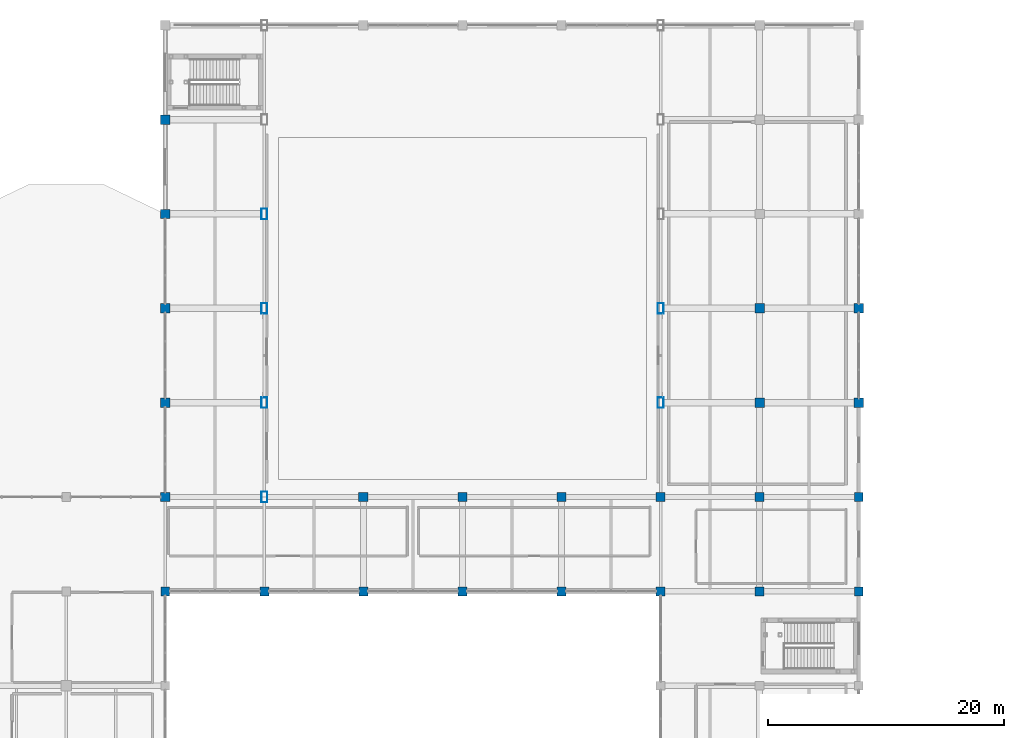
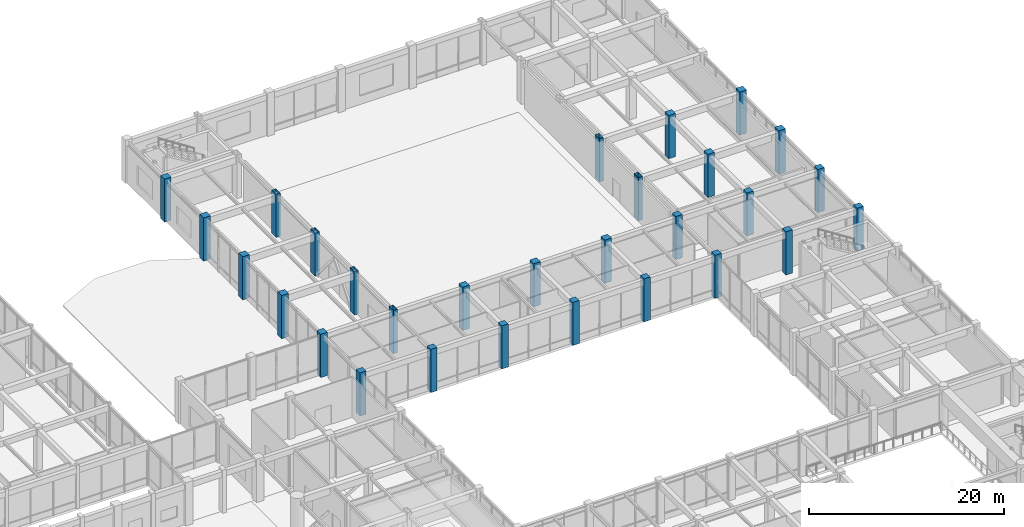
# One storey, part 12 of 79: 29 columns.
"""IFC4 building model written with IfcOpenShell, lengths in metres."""

from ifc_helpers import new_model, si_unit, direction, frame, origin, origin_2d, place, context, subcontext, project, spatial, rectangle, hollow_rectangle, extrude, material, material_profile, profile_set, type_object, element, save


model = new_model("IFC4")

# Units and contexts
model_context = context("Model", 3, precision=1e-05, world=origin(), true_north=direction((0.0, 1.0)))
body_context = subcontext(model_context, "Body", "Model", "MODEL_VIEW")
ifc_project = project(units=[si_unit("LENGTHUNIT", "METRE"), si_unit("AREAUNIT", "SQUARE_METRE"), si_unit("VOLUMEUNIT", "CUBIC_METRE"), si_unit("PLANEANGLEUNIT", "RADIAN"), si_unit("MASSUNIT", "GRAM", prefix="KILO")], contexts=[model_context])

# Site, building, storey
site_placement = place(None, origin())
site = spatial("IfcSite", under=ifc_project, at=site_placement, CompositionType="ELEMENT")
building_placement = place(site_placement, origin())
building = spatial("IfcBuilding", under=site, at=building_placement, Name="Naruveol Harbour Congress Hotel", CompositionType="ELEMENT")
storey_placement = place(building_placement, frame((0.0, 0.0, 6.0)))
storey = spatial("IfcBuildingStorey", under=building, at=storey_placement, Name="L01", CompositionType="ELEMENT", Elevation=6.0)

# Columns
ifc_material_1 = material(Name="Concrete C50/60", Category="concrete")
ifc_material_profile_1 = material_profile(ifc_material_1, rectangle(XDim=0.800048828125, YDim=0.800048828125, at=origin_2d()), Name="RC-800x800")
ifc_profile_set_1 = profile_set([ifc_material_profile_1], Name="Concrete C50/60")
column_type_1 = type_object("IfcColumnType", Name="RC PODIUM COLUMN 800X800", PredefinedType="COLUMN", material=ifc_profile_set_1)
for number, where, z_axis, x_axis, name in (
    (1, (67.199951171875, 72.0, 0.0), (0.0, 0.0, 1.0), (1.0, 0.0, 0.0), "Column C-800 L01 (67.2,72.0)"),
    (2, (67.199951171875, 80.0, 0.0), (0.0, 0.0, 1.0), (1.0, 0.0, 0.0), "Column C-800 L01 (67.2,80.0)"),
    (3, (67.199951171875, 88.0, 0.0), (0.0, 0.0, 1.0), (1.0, 0.0, 0.0), "Column C-800 L01 (67.2,88.0)"),
    (4, (67.199951171875, 96.0, 0.0), (0.0, 0.0, 1.0), (1.0, 0.0, 0.0), "Column C-800 L01 (67.2,96.0)"),
    (5, (67.199951171875, 104.0, 0.0), (0.0, 0.0, 1.0), (1.0, 0.0, 0.0), "Column C-800 L01 (67.2,104.0)"),
    (6, (84.0, 72.0, 0.0), (0.0, 0.0, 1.0), (1.0, 0.0, 0.0), "Column C-800 L01 (84.0,72.0)"),
    (7, (92.39990234375, 72.0, 0.0), (0.0, 0.0, 1.0), (1.0, 0.0, 0.0), "Column C-800 L01 (92.4,72.0)"),
    (8, (100.800048828125, 72.0, 0.0), (0.0, 0.0, 1.0), (1.0, 0.0, 0.0), "Column C-800 L01 (100.8,72.0)"),
    (9, (117.60009765625, 80.0, 0.0), (0.0, 0.0, 1.0), (1.0, 0.0, 0.0), "Column C-800 L01 (117.6,80.0)"),
    (10, (117.60009765625, 88.0, 0.0), (0.0, 0.0, 1.0), (1.0, 0.0, 0.0), "Column C-800 L01 (117.6,88.0)"),
    (11, (126.0, 80.0, 0.0), (0.0, 0.0, 1.0), (1.0, 0.0, 0.0), "Column C-800 L01 (126.0,80.0)"),
    (12, (126.0, 88.0, 0.0), (0.0, 0.0, 1.0), (1.0, 0.0, 0.0), "Column C-800 L01 (126.0,88.0)"),
):
    element("IfcColumn", number, at=place(storey_placement, frame(where, z_axis=z_axis, x_axis=x_axis)), inside=storey, type_object=column_type_1, Name=name, PredefinedType="COLUMN", context=body_context, shape_type="SweptSolid", body=[
        extrude(rectangle(XDim=0.800048828125, YDim=0.800048828125, at=origin_2d()), origin(), (0.0, 0.0, 1.0), 5.39990234375),
    ])
ifc_material_2 = material(Name="Concrete C50/60", Category="concrete")
ifc_material_profile_2 = material_profile(ifc_material_2, rectangle(XDim=0.75, YDim=0.75, at=origin_2d()), Name="RC-750x750")
ifc_profile_set_2 = profile_set([ifc_material_profile_2], Name="Concrete C50/60")
column_type_2 = type_object("IfcColumnType", Name="RC WING COLUMN 750X750", PredefinedType="COLUMN", material=ifc_profile_set_2)
for number, where, z_axis, x_axis, name in (
    (13, (67.199951171875, 64.0, 0.0), (0.0, 0.0, 1.0), (1.0, 0.0, 0.0), "Column C-750 L01 (67.2,64.0)"),
    (14, (75.60009765625, 64.0, 0.0), (0.0, 0.0, 1.0), (1.0, 0.0, 0.0), "Column C-750 L01 (75.6,64.0)"),
    (15, (84.0, 64.0, 0.0), (0.0, 0.0, 1.0), (1.0, 0.0, 0.0), "Column C-750 L01 (84.0,64.0)"),
    (16, (92.39990234375, 64.0, 0.0), (0.0, 0.0, 1.0), (1.0, 0.0, 0.0), "Column C-750 L01 (92.4,64.0)"),
    (17, (100.800048828125, 64.0, 0.0), (0.0, 0.0, 1.0), (1.0, 0.0, 0.0), "Column C-750 L01 (100.8,64.0)"),
    (18, (109.199951171875, 64.0, 0.0), (0.0, 0.0, 1.0), (1.0, 0.0, 0.0), "Column C-750 L01 (109.2,64.0)"),
    (19, (109.199951171875, 72.0, 0.0), (0.0, 0.0, 1.0), (1.0, 0.0, 0.0), "Column C-750 L01 (109.2,72.0)"),
    (20, (117.60009765625, 64.0, 0.0), (0.0, 0.0, 1.0), (1.0, 0.0, 0.0), "Column C-750 L01 (117.6,64.0)"),
    (21, (117.60009765625, 72.0, 0.0), (0.0, 0.0, 1.0), (1.0, 0.0, 0.0), "Column C-750 L01 (117.6,72.0)"),
    (22, (126.0, 64.0, 0.0), (0.0, 0.0, 1.0), (1.0, 0.0, 0.0), "Column C-750 L01 (126.0,64.0)"),
    (23, (126.0, 72.0, 0.0), (0.0, 0.0, 1.0), (1.0, 0.0, 0.0), "Column C-750 L01 (126.0,72.0)"),
):
    element("IfcColumn", number, at=place(storey_placement, frame(where, z_axis=z_axis, x_axis=x_axis)), inside=storey, type_object=column_type_2, Name=name, PredefinedType="COLUMN", context=body_context, shape_type="SweptSolid", body=[
        extrude(rectangle(XDim=0.75, YDim=0.75, at=origin_2d()), origin(), (0.0, 0.0, 1.0), 5.39990234375),
    ])
ifc_material_3 = material(Name="Steel SN490", Category="steel")
ifc_material_profile_3 = material_profile(ifc_material_3, hollow_rectangle(XDim=0.5, YDim=0.89990234375, WallThickness=0.02392578125, at=origin_2d()), Name="RHS-900x500x24")
ifc_profile_set_3 = profile_set([ifc_material_profile_3], Name="Steel SN490")
column_type_3 = type_object("IfcColumnType", Name="STEEL HALL COLUMN H900X300", PredefinedType="COLUMN", material=ifc_profile_set_3)
for number, where, z_axis, x_axis, name in (
    (24, (75.60009765625, 72.0, 0.0), (0.0, 0.0, 1.0), (1.0, 0.0, 0.0), "Column SC-H900 L01 (75.6,72.0)"),
    (25, (75.60009765625, 80.0, 0.0), (0.0, 0.0, 1.0), (1.0, 0.0, 0.0), "Column SC-H900 L01 (75.6,80.0)"),
    (26, (75.60009765625, 88.0, 0.0), (0.0, 0.0, 1.0), (1.0, 0.0, 0.0), "Column SC-H900 L01 (75.6,88.0)"),
    (27, (75.60009765625, 96.0, 0.0), (0.0, 0.0, 1.0), (1.0, 0.0, 0.0), "Column SC-H900 L01 (75.6,96.0)"),
    (28, (109.199951171875, 80.0, 0.0), (0.0, 0.0, 1.0), (1.0, 0.0, 0.0), "Column SC-H900 L01 (109.2,80.0)"),
    (29, (109.199951171875, 88.0, 0.0), (0.0, 0.0, 1.0), (1.0, 0.0, 0.0), "Column SC-H900 L01 (109.2,88.0)"),
):
    element("IfcColumn", number, at=place(storey_placement, frame(where, z_axis=z_axis, x_axis=x_axis)), inside=storey, type_object=column_type_3, Name=name, PredefinedType="COLUMN", context=body_context, shape_type="SweptSolid", body=[
        extrude(hollow_rectangle(XDim=0.5, YDim=0.89990234375, WallThickness=0.02392578125, at=origin_2d()), origin(), (0.0, 0.0, 1.0), 5.39990234375),
    ])

save(model, "model.ifc")
